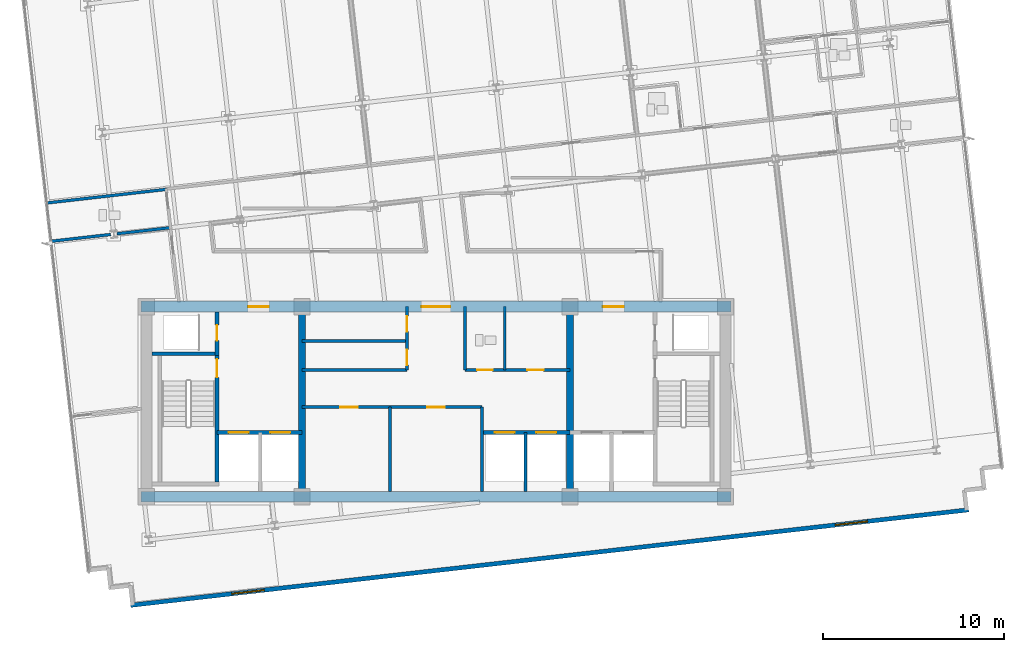
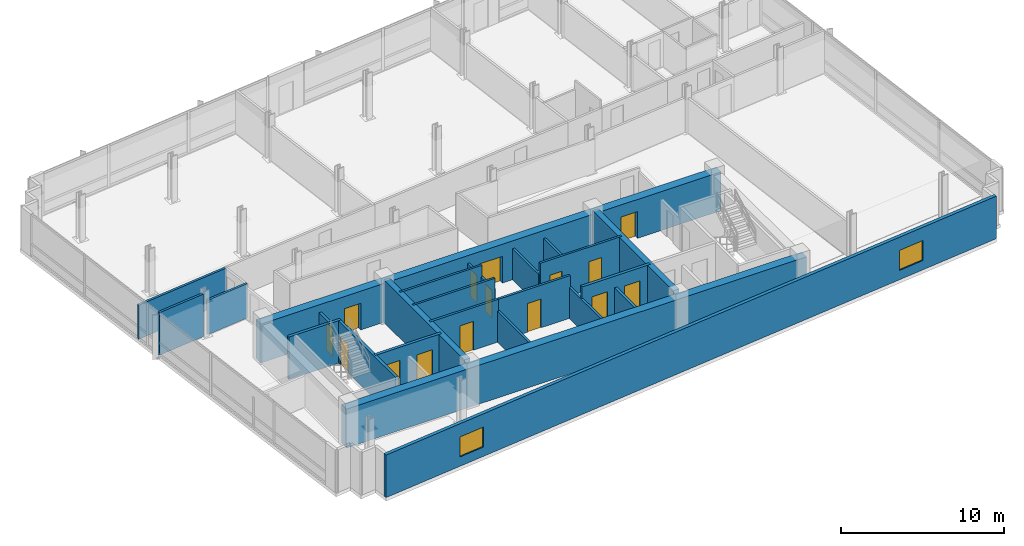
# One storey, part 8 of 16: 24 walls, 15 doors, 2 windows, 17 openings.
"""IFC4 building model written with IfcOpenShell, lengths in metres."""

from ifc_helpers import new_model, si_unit, direction, frame, frame_2d, origin, place, context, subcontext, project, spatial, rectangle, extrude, material, layer, layer_set, type_object, element, fill, save


model = new_model("IFC4")

# Units and contexts
model_context = context("Model", 3, precision=1e-05, world=origin(), true_north=direction((0.0, 1.0)))
body_context = subcontext(model_context, "Body", "Model", "MODEL_VIEW")
ifc_project = project(units=[si_unit("LENGTHUNIT", "METRE"), si_unit("AREAUNIT", "SQUARE_METRE"), si_unit("VOLUMEUNIT", "CUBIC_METRE"), si_unit("PLANEANGLEUNIT", "RADIAN"), si_unit("MASSUNIT", "GRAM", prefix="KILO")], contexts=[model_context])

# Site, building, storey
site_placement = place(None, origin())
site = spatial("IfcSite", under=ifc_project, at=site_placement, CompositionType="ELEMENT")
building_placement = place(site_placement, origin())
building = spatial("IfcBuilding", under=site, at=building_placement, Name="Solmavex Isthmus Hotel", CompositionType="ELEMENT")
storey_placement = place(building_placement, frame((0.0, 0.0, 233.10009765625)))
storey = spatial("IfcBuildingStorey", under=building, at=storey_placement, Name="L63", CompositionType="ELEMENT", Elevation=233.10009765625)

# Wall, openings, windows
ifc_material_1 = material(Name="Precast Concrete C40/50", Category="concrete")
ifc_layer_1 = layer(ifc_material_1, 0.25)
ifc_layer_set_1 = layer_set([ifc_layer_1], Name="Precast Concrete C40/50")
wall_type_1 = type_object("IfcWallType", Name="EW-TWR-250", PredefinedType="STANDARD", material=ifc_layer_set_1)
wall_1_placement = place(storey_placement, frame((-16.86962890625, -18.99951171875, 0.0), z_axis=(0.0, 0.0, 1.0), x_axis=(0.993571588328, 0.113205560228, 0.0)))
wall_1 = element("IfcWall", 1, at=wall_1_placement, inside=storey, type_object=wall_type_1, Name="Tower Rear South Facade Wall L63", PredefinedType="STANDARD", context=body_context, shape_type="SweptSolid", body=[
    extrude(rectangle(XDim=46.60009765625, YDim=0.239990234375, at=frame_2d((23.300048828125, 0.0))), origin(), (0.0, 0.0, 1.0), 3.18994140625),
])
opening_1_placement = place(wall_1_placement, frame((5.6240234375, 0.0, 0.699951171875)))
opening_1 = element("IfcOpeningElement", 2, at=opening_1_placement, cuts=wall_1, Name="Opening WN-02", PredefinedType="OPENING", context=body_context, shape_type="SweptSolid", body=[
    extrude(rectangle(XDim=1.800048828125, YDim=1.5, at=frame_2d((0.89990234375, 0.75))), frame((0.0, 0.1298828125, 0.0), z_axis=(0.0, -1.0, 0.0), x_axis=(1.0, 0.0, 0.0)), (0.0, 0.0, 1.0), 0.260009765625),
])
opening_2_placement = place(wall_1_placement, frame((39.176025390625, 0.0, 0.699951171875)))
opening_2 = element("IfcOpeningElement", 3, at=opening_2_placement, cuts=wall_1, Name="Opening WN-02", PredefinedType="OPENING", context=body_context, shape_type="SweptSolid", body=[
    extrude(rectangle(XDim=1.800048828125, YDim=1.5, at=frame_2d((0.89990234375, 0.75))), frame((0.0, 0.1298828125, 0.0), z_axis=(0.0, -1.0, 0.0), x_axis=(1.0, 0.0, 0.0)), (0.0, 0.0, 1.0), 0.260009765625),
])
ifc_material_2 = material(Name="Clear low-E laminated glass", Category="glass")
window_type = type_object("IfcWindowType", Name="WIN-TWR-1800", PartitioningType="SINGLE_PANEL", PredefinedType="WINDOW", material=ifc_material_2)
window_1_placement = place(opening_1_placement, origin())
window_1 = element("IfcWindow", 4, at=window_1_placement, inside=storey, type_object=window_type, Name="South Facade Vision Window L63-S1", OverallHeight=1.5, OverallWidth=1.800048828125, PartitioningType="SINGLE_PANEL", PredefinedType="WINDOW", context=body_context, shape_type="SweptSolid", body=[
    extrude(rectangle(XDim=1.800048828125, YDim=1.5, at=frame_2d((0.89990234375, 0.75))), frame((0.0, 0.030029296875, 0.0), z_axis=(0.0, -1.0, 0.0), x_axis=(1.0, 0.0, 0.0)), (0.0, 0.0, 1.0), 0.06005859375),
])
fill(opening_1, window_1)
window_2_placement = place(opening_2_placement, origin())
window_2 = element("IfcWindow", 5, at=window_2_placement, inside=storey, type_object=window_type, Name="South Facade Vision Window L63-S2", OverallHeight=1.5, OverallWidth=1.800048828125, PartitioningType="SINGLE_PANEL", PredefinedType="WINDOW", context=body_context, shape_type="SweptSolid", body=[
    extrude(rectangle(XDim=1.800048828125, YDim=1.5, at=frame_2d((0.89990234375, 0.75))), frame((0.0, 0.030029296875, 0.0), z_axis=(0.0, -1.0, 0.0), x_axis=(1.0, 0.0, 0.0)), (0.0, 0.0, 1.0), 0.06005859375),
])
fill(opening_2, window_2)

# Wall, opening, door
ifc_material_3 = material(Name="Gypsum plasterboard lining", Category="gypsum")
ifc_layer_2 = layer(ifc_material_3, 0.159912109375)
ifc_layer_set_2 = layer_set([ifc_layer_2], Name="Gypsum plasterboard lining")
wall_type_2 = type_object("IfcWallType", Name="IW-COMP-160", PredefinedType="PARTITIONING", material=ifc_layer_set_2)
wall_2_placement = place(storey_placement, frame((-7.39990234375, -8.050048828125, 0.0), z_axis=(0.0, 0.0, 1.0), x_axis=(1.0, 0.0, 0.0)))
wall_2 = element("IfcWall", 6, at=wall_2_placement, inside=storey, type_object=wall_type_2, Name="Interior Partition Wall W-L63-REC-PLL-N", PredefinedType="PARTITIONING", context=body_context, shape_type="SweptSolid", body=[
    extrude(rectangle(XDim=4.849853515625, YDim=0.159912109375, at=frame_2d((2.4248046875, 0.0))), origin(), (0.0, 0.0, 1.0), 3.18994140625),
])
opening_3_placement = place(wall_2_placement, frame((2.125, 0.0, 0.0)))
opening_3 = element("IfcOpeningElement", 7, at=opening_3_placement, cuts=wall_2, Name="Opening ID-C095", PredefinedType="OPENING", context=body_context, shape_type="SweptSolid", body=[
    extrude(rectangle(XDim=0.949951171875, YDim=2.14990234375, at=frame_2d((0.47509765625, 1.074951171875))), frame((0.0, 0.08984375, 0.0), z_axis=(0.0, -1.0, 0.0), x_axis=(1.0, 0.0, 0.0)), (0.0, 0.0, 1.0), 0.179931640625),
])
ifc_material_4 = material(Name="Hardwood timber", Category="wood")
door_type_1 = type_object("IfcDoorType", Name="IDR-FD60-0950", OperationType="NOTDEFINED", PredefinedType="DOOR", material=ifc_material_4)
door_1_placement = place(opening_3_placement, origin())
door_1 = element("IfcDoor", 8, at=door_1_placement, inside=storey, type_object=door_type_1, Name="Linen Reserve Door L63", OperationType="SINGLE_SWING_LEFT", OverallHeight=2.14990234375, OverallWidth=0.949951171875, PredefinedType="DOOR", context=body_context, shape_type="SweptSolid", body=[
    extrude(rectangle(XDim=0.949951171875, YDim=2.14990234375, at=frame_2d((0.47509765625, 1.074951171875))), frame((0.0, 0.02490234375, 0.0), z_axis=(0.0, -1.0, 0.0), x_axis=(1.0, 0.0, 0.0)), (0.0, 0.0, 1.0), 0.050048828125),
])
fill(opening_3, door_1)

# Wall
wall_3_placement = place(storey_placement, frame((-2.550048828125, -12.699951171875, 0.0), z_axis=(0.0, 0.0, 1.0), x_axis=(0.0, 1.0, 0.0)))
element("IfcWall", 9, at=wall_3_placement, inside=storey, type_object=wall_type_2, Name="Interior Partition Wall W-L63-REC-PLL-E", PredefinedType="PARTITIONING", context=body_context, shape_type="SweptSolid", body=[
    extrude(rectangle(XDim=4.64990234375, YDim=0.159912109375, at=frame_2d((2.324951171875, 0.0))), origin(), (0.0, 0.0, 1.0), 2.324951171875),
])

# Wall, opening, door
wall_4_placement = place(storey_placement, frame((-2.550048828125, -8.050048828125, 0.0), z_axis=(0.0, 0.0, 1.0), x_axis=(1.0, 0.0, 0.0)))
wall_4 = element("IfcWall", 10, at=wall_4_placement, inside=storey, type_object=wall_type_2, Name="Interior Partition Wall W-L63-REC-PLM-N", PredefinedType="PARTITIONING", context=body_context, shape_type="SweptSolid", body=[
    extrude(rectangle(XDim=5.10009765625, YDim=0.159912109375, at=frame_2d((2.550048828125, 0.0))), origin(), (0.0, 0.0, 1.0), 3.18994140625),
])
opening_4_placement = place(wall_4_placement, frame((2.074951171875, 0.0, 0.0)))
opening_4 = element("IfcOpeningElement", 11, at=opening_4_placement, cuts=wall_4, Name="Opening ID-C095", PredefinedType="OPENING", context=body_context, shape_type="SweptSolid", body=[
    extrude(rectangle(XDim=0.949951171875, YDim=2.14990234375, at=frame_2d((0.47509765625, 1.074951171875))), frame((0.0, 0.08984375, 0.0), z_axis=(0.0, -1.0, 0.0), x_axis=(1.0, 0.0, 0.0)), (0.0, 0.0, 1.0), 0.179931640625),
])
door_2_placement = place(opening_4_placement, origin())
door_2 = element("IfcDoor", 12, at=door_2_placement, inside=storey, type_object=door_type_1, Name="Butler Store Door L63", OperationType="SINGLE_SWING_RIGHT", OverallHeight=2.14990234375, OverallWidth=0.949951171875, PredefinedType="DOOR", context=body_context, shape_type="SweptSolid", body=[
    extrude(rectangle(XDim=0.949951171875, YDim=2.14990234375, at=frame_2d((0.47509765625, 1.074951171875))), frame((0.0, 0.02490234375, 0.0), z_axis=(0.0, -1.0, 0.0), x_axis=(1.0, 0.0, 0.0)), (0.0, 0.0, 1.0), 0.050048828125),
])
fill(opening_4, door_2)

# Walls
wall_5_placement = place(storey_placement, frame((2.550048828125, -12.699951171875, 0.0), z_axis=(0.0, 0.0, 1.0), x_axis=(0.0, 1.0, 0.0)))
element("IfcWall", 13, at=wall_5_placement, inside=storey, type_object=wall_type_2, Name="Interior Partition Wall W-L63-REC-PLM-E", PredefinedType="PARTITIONING", context=body_context, shape_type="SweptSolid", body=[
    extrude(rectangle(XDim=4.64990234375, YDim=0.159912109375, at=frame_2d((2.324951171875, 0.0))), origin(), (0.0, 0.0, 1.0), 2.324951171875),
])
wall_6_placement = place(storey_placement, frame((-14.86865234375, 3.98486328125, 0.0), z_axis=(0.0, 0.0, 1.0), x_axis=(-0.993568743641, -0.113230524415, 0.0)))
element("IfcWall", 14, at=wall_6_placement, inside=storey, type_object=wall_type_2, Name="Interior Partition Wall W-L63-P025", PredefinedType="PARTITIONING", context=body_context, shape_type="SweptSolid", body=[
    extrude(rectangle(XDim=6.7099609375, YDim=0.159912109375, at=frame_2d((3.35498046875, 0.0))), origin(), (0.0, 0.0, 1.0), 2.557373046875),
])
wall_7_placement = place(storey_placement, frame((-17.97216796875, 1.4873046875, 0.0), z_axis=(0.0, 0.0, 1.0), x_axis=(-0.993575433752, -0.113171804991, 0.0)))
element("IfcWall", 15, at=wall_7_placement, inside=storey, type_object=wall_type_2, Name="Interior Partition Wall W-L63-P042", PredefinedType="PARTITIONING", context=body_context, shape_type="SweptSolid", body=[
    extrude(rectangle(XDim=3.34375, YDim=0.159912109375, at=frame_2d((1.671875, 0.0))), origin(), (0.0, 0.0, 1.0), 3.18994140625),
])
wall_8_placement = place(storey_placement, frame((-14.62744140625, 1.868408203125, 0.0), z_axis=(0.0, 0.0, 1.0), x_axis=(-0.993574646464, -0.113178716659, 0.0)))
element("IfcWall", 16, at=wall_8_placement, inside=storey, type_object=wall_type_2, Name="Interior Partition Wall W-L63-P043", PredefinedType="PARTITIONING", context=body_context, shape_type="SweptSolid", body=[
    extrude(rectangle(XDim=3.013427734375, YDim=0.159912109375, at=frame_2d((1.5068359375, 0.0))), origin(), (0.0, 0.0, 1.0), 2.572265625),
])
ifc_layer_3 = layer(ifc_material_3, 0.14990234375)
ifc_layer_set_3 = layer_set([ifc_layer_3], Name="Gypsum plasterboard lining")
wall_type_3 = type_object("IfcWallType", Name="IW-CORR-150", PredefinedType="PARTITIONING", material=ifc_layer_set_3)
wall_9_placement = place(storey_placement, frame((-7.39990234375, -6.0, 0.0), z_axis=(0.0, 0.0, 1.0), x_axis=(1.0, 0.0, 0.0)))
element("IfcWall", 17, at=wall_9_placement, inside=storey, type_object=wall_type_3, Name="Interior Partition Wall W-L63-BOH-WS", PredefinedType="PARTITIONING", context=body_context, shape_type="SweptSolid", body=[
    extrude(rectangle(XDim=5.7998046875, YDim=0.14990234375, at=frame_2d((2.89990234375, 0.0))), origin(), (0.0, 0.0, 1.0), 3.18994140625),
])

# Wall, openings, doors
wall_10_placement = place(storey_placement, frame((-1.60009765625, -6.0, 0.0), z_axis=(0.0, 0.0, 1.0), x_axis=(0.0, 1.0, 0.0)))
wall_10 = element("IfcWall", 18, at=wall_10_placement, inside=storey, type_object=wall_type_3, Name="Interior Partition Wall W-L63-BOH-WE", PredefinedType="PARTITIONING", context=body_context, shape_type="SweptSolid", body=[
    extrude(rectangle(XDim=3.5, YDim=0.14990234375, at=frame_2d((1.75, 0.0))), origin(), (0.0, 0.0, 1.0), 2.324951171875),
])
opening_5_placement = place(wall_10_placement, frame((0.27490234375, 0.0, 0.0)))
opening_5 = element("IfcOpeningElement", 19, at=opening_5_placement, cuts=wall_10, Name="Opening ID-R085", PredefinedType="OPENING", context=body_context, shape_type="SweptSolid", body=[
    extrude(rectangle(XDim=0.85009765625, YDim=2.050048828125, at=frame_2d((0.425048828125, 1.02490234375))), frame((0.0, 0.0849609375, 0.0), z_axis=(0.0, -1.0, 0.0), x_axis=(1.0, 0.0, 0.0)), (0.0, 0.0, 1.0), 0.169921875),
])
opening_6_placement = place(wall_10_placement, frame((2.125, 0.0, 0.0)))
opening_6 = element("IfcOpeningElement", 20, at=opening_6_placement, cuts=wall_10, Name="Opening ID-R085", PredefinedType="OPENING", context=body_context, shape_type="SweptSolid", body=[
    extrude(rectangle(XDim=0.85009765625, YDim=2.050048828125, at=frame_2d((0.425048828125, 1.02490234375))), frame((0.0, 0.0849609375, 0.0), z_axis=(0.0, -1.0, 0.0), x_axis=(1.0, 0.0, 0.0)), (0.0, 0.0, 1.0), 0.169921875),
])
ifc_material_5 = material(Name="Steel ASTM A500 Grade C", Category="steel")
door_type_2 = type_object("IfcDoorType", Name="IDR-FD60-0850", OperationType="NOTDEFINED", PredefinedType="DOOR", material=ifc_material_5)
door_3_placement = place(opening_5_placement, origin())
door_3 = element("IfcDoor", 21, at=door_3_placement, inside=storey, type_object=door_type_2, Name="Housekeeping Door L63", OperationType="SINGLE_SWING_LEFT", OverallHeight=2.050048828125, OverallWidth=0.85009765625, PredefinedType="DOOR", context=body_context, shape_type="SweptSolid", body=[
    extrude(rectangle(XDim=0.85009765625, YDim=2.050048828125, at=frame_2d((0.425048828125, 1.02490234375))), frame((0.0, 0.02490234375, 0.0), z_axis=(0.0, -1.0, 0.0), x_axis=(1.0, 0.0, 0.0)), (0.0, 0.0, 1.0), 0.050048828125),
])
fill(opening_5, door_3)
door_4_placement = place(opening_6_placement, origin())
door_4 = element("IfcDoor", 22, at=door_4_placement, inside=storey, type_object=door_type_2, Name="Valet Store Door L63", OperationType="SINGLE_SWING_RIGHT", OverallHeight=2.050048828125, OverallWidth=0.85009765625, PredefinedType="DOOR", context=body_context, shape_type="SweptSolid", body=[
    extrude(rectangle(XDim=0.85009765625, YDim=2.050048828125, at=frame_2d((0.425048828125, 1.02490234375))), frame((0.0, 0.02490234375, 0.0), z_axis=(0.0, -1.0, 0.0), x_axis=(1.0, 0.0, 0.0)), (0.0, 0.0, 1.0), 0.050048828125),
])
fill(opening_6, door_4)

wall_11_placement = place(storey_placement, frame((1.60009765625, -6.0, 0.0), z_axis=(0.0, 0.0, 1.0), x_axis=(1.0, 0.0, 0.0)))
wall_11 = element("IfcWall", 23, at=wall_11_placement, inside=storey, type_object=wall_type_3, Name="Interior Partition Wall W-L63-BOH-ES", PredefinedType="PARTITIONING", context=body_context, shape_type="SweptSolid", body=[
    extrude(rectangle(XDim=5.7998046875, YDim=0.14990234375, at=frame_2d((2.89990234375, 0.0))), origin(), (0.0, 0.0, 1.0), 3.18994140625),
])
opening_7_placement = place(wall_11_placement, frame((0.675048828125, 0.0, 0.0)))
opening_7 = element("IfcOpeningElement", 24, at=opening_7_placement, cuts=wall_11, Name="Opening ID-R085", PredefinedType="OPENING", context=body_context, shape_type="SweptSolid", body=[
    extrude(rectangle(XDim=0.85009765625, YDim=2.050048828125, at=frame_2d((0.425048828125, 1.02490234375))), frame((0.0, 0.0849609375, 0.0), z_axis=(0.0, -1.0, 0.0), x_axis=(1.0, 0.0, 0.0)), (0.0, 0.0, 1.0), 0.169921875),
])
opening_8_placement = place(wall_11_placement, frame((3.449951171875, 0.0, 0.0)))
opening_8 = element("IfcOpeningElement", 25, at=opening_8_placement, cuts=wall_11, Name="Opening ID-C090", PredefinedType="OPENING", context=body_context, shape_type="SweptSolid", body=[
    extrude(rectangle(XDim=0.89990234375, YDim=2.10009765625, at=frame_2d((0.449951171875, 1.050048828125))), frame((0.0, 0.0849609375, 0.0), z_axis=(0.0, -1.0, 0.0), x_axis=(1.0, 0.0, 0.0)), (0.0, 0.0, 1.0), 0.169921875),
])
door_5_placement = place(opening_7_placement, frame((0.85009765625, 0.0, 0.0), z_axis=(0.0, 0.0, 1.0), x_axis=(-1.0, 0.0, 0.0)))
door_5 = element("IfcDoor", 26, at=door_5_placement, inside=storey, type_object=door_type_2, Name="Staff WC Door L63", OperationType="SINGLE_SWING_LEFT", OverallHeight=2.050048828125, OverallWidth=0.85009765625, PredefinedType="DOOR", context=body_context, shape_type="SweptSolid", body=[
    extrude(rectangle(XDim=0.85009765625, YDim=2.050048828125, at=frame_2d((0.425048828125, 1.02490234375))), frame((0.0, 0.02490234375, 0.0), z_axis=(0.0, -1.0, 0.0), x_axis=(1.0, 0.0, 0.0)), (0.0, 0.0, 1.0), 0.050048828125),
])
fill(opening_7, door_5)
door_type_3 = type_object("IfcDoorType", Name="IDR-FD60-0900", OperationType="NOTDEFINED", PredefinedType="DOOR", material=ifc_material_4)
door_6_placement = place(opening_8_placement, frame((0.89990234375, 0.0, 0.0), z_axis=(0.0, 0.0, 1.0), x_axis=(-1.0, 0.0, 0.0)))
door_6 = element("IfcDoor", 27, at=door_6_placement, inside=storey, type_object=door_type_3, Name="Room Service Door L63", OperationType="SINGLE_SWING_RIGHT", OverallHeight=2.10009765625, OverallWidth=0.89990234375, PredefinedType="DOOR", context=body_context, shape_type="SweptSolid", body=[
    extrude(rectangle(XDim=0.89990234375, YDim=2.10009765625, at=frame_2d((0.449951171875, 1.050048828125))), frame((0.0, 0.02490234375, 0.0), z_axis=(0.0, -1.0, 0.0), x_axis=(1.0, 0.0, 0.0)), (0.0, 0.0, 1.0), 0.050048828125),
])
fill(opening_8, door_6)

# Walls
wall_12_placement = place(storey_placement, frame((1.60009765625, -6.0, 0.0), z_axis=(0.0, 0.0, 1.0), x_axis=(0.0, 1.0, 0.0)))
element("IfcWall", 28, at=wall_12_placement, inside=storey, type_object=wall_type_3, Name="Interior Partition Wall W-L63-BOH-EW", PredefinedType="PARTITIONING", context=body_context, shape_type="SweptSolid", body=[
    extrude(rectangle(XDim=3.5, YDim=0.14990234375, at=frame_2d((1.75, 0.0))), origin(), (0.0, 0.0, 1.0), 2.324951171875),
])
ifc_layer_4 = layer(ifc_material_3, 0.1201171875)
ifc_layer_set_4 = layer_set([ifc_layer_4], Name="Gypsum plasterboard lining")
wall_type_4 = type_object("IfcWallType", Name="IW-PART-120", PredefinedType="PARTITIONING", material=ifc_layer_set_4)
wall_13_placement = place(storey_placement, frame((-7.39990234375, -4.39990234375, 0.0), z_axis=(0.0, 0.0, 1.0), x_axis=(1.0, 0.0, 0.0)))
element("IfcWall", 29, at=wall_13_placement, inside=storey, type_object=wall_type_4, Name="Interior Partition Wall W-L63-BOH-WH3", PredefinedType="PARTITIONING", context=body_context, shape_type="SweptSolid", body=[
    extrude(rectangle(XDim=5.7998046875, YDim=0.14990234375, at=frame_2d((2.89990234375, 0.0))), origin(), (0.0, 0.0, 1.0), 3.18994140625),
])
wall_14_placement = place(storey_placement, frame((3.800048828125, -6.0, 0.0), z_axis=(0.0, 0.0, 1.0), x_axis=(0.0, 1.0, 0.0)))
element("IfcWall", 30, at=wall_14_placement, inside=storey, type_object=wall_type_4, Name="Interior Partition Wall W-L63-BOH-EM3", PredefinedType="PARTITIONING", context=body_context, shape_type="SweptSolid", body=[
    extrude(rectangle(XDim=3.5, YDim=0.14990234375, at=frame_2d((1.75, 0.0))), origin(), (0.0, 0.0, 1.0), 2.324951171875),
])
ifc_material_6 = material(Name="Concrete C40/50", Category="concrete")
ifc_layer_5 = layer(ifc_material_6, 0.179931640625)
ifc_layer_set_5 = layer_set([ifc_layer_5], Name="Concrete C40/50")
wall_type_5 = type_object("IfcWallType", Name="IW-SHAFT-180", PredefinedType="PARTITIONING", material=ifc_layer_set_5)
wall_15_placement = place(storey_placement, frame((4.949951171875, -12.699951171875, 0.0), z_axis=(0.0, 0.0, 1.0), x_axis=(0.0, 1.0, 0.0)))
element("IfcWall", 31, at=wall_15_placement, inside=storey, type_object=wall_type_5, Name="Interior Partition Wall W-L63-SH-PLH-M", PredefinedType="PARTITIONING", context=body_context, shape_type="SweptSolid", body=[
    extrude(rectangle(XDim=3.25, YDim=0.179931640625, at=frame_2d((1.625, 0.0))), origin(), (0.0, 0.0, 1.0), 2.324951171875),
])

# Wall, opening, door
ifc_layer_6 = layer(ifc_material_6, 0.199951171875)
ifc_layer_set_6 = layer_set([ifc_layer_6], Name="Concrete C40/50")
wall_type_6 = type_object("IfcWallType", Name="IW-SHAFT-200", PredefinedType="PARTITIONING", material=ifc_layer_set_6)
wall_16_placement = place(storey_placement, frame((-12.10009765625, -5.199951171875, 0.0), z_axis=(0.0, 0.0, 1.0), x_axis=(0.0, 1.0, 0.0)))
wall_16 = element("IfcWall", 32, at=wall_16_placement, inside=storey, type_object=wall_type_6, Name="Interior Partition Wall W-L63-RSW-E", PredefinedType="PARTITIONING", context=body_context, shape_type="SweptSolid", body=[
    extrude(rectangle(XDim=2.39990234375, YDim=0.199951171875, at=frame_2d((1.199951171875, 0.0))), origin(), (0.0, 0.0, 1.0), 2.324951171875),
])
opening_9_placement = place(wall_16_placement, frame((0.824951171875, 0.0, 0.0)))
opening_9 = element("IfcOpeningElement", 33, at=opening_9_placement, cuts=wall_16, Name="Opening ID-R085", PredefinedType="OPENING", context=body_context, shape_type="SweptSolid", body=[
    extrude(rectangle(XDim=0.85009765625, YDim=2.050048828125, at=frame_2d((0.425048828125, 1.02490234375))), frame((0.0, 0.10986328125, 0.0), z_axis=(0.0, -1.0, 0.0), x_axis=(1.0, 0.0, 0.0)), (0.0, 0.0, 1.0), 0.219970703125),
])
door_7_placement = place(opening_9_placement, origin())
door_7 = element("IfcDoor", 34, at=door_7_placement, inside=storey, type_object=door_type_2, Name="Electrical Riser Door L63", OperationType="SINGLE_SWING_RIGHT", OverallHeight=2.050048828125, OverallWidth=0.85009765625, PredefinedType="DOOR", context=body_context, shape_type="SweptSolid", body=[
    extrude(rectangle(XDim=0.85009765625, YDim=2.050048828125, at=frame_2d((0.425048828125, 1.02490234375))), frame((0.0, 0.02490234375, 0.0), z_axis=(0.0, -1.0, 0.0), x_axis=(1.0, 0.0, 0.0)), (0.0, 0.0, 1.0), 0.050048828125),
])
fill(opening_9, door_7)

# Wall, openings, doors
wall_17_placement = place(storey_placement, frame((-12.10009765625, -9.449951171875, 0.0), z_axis=(0.0, 0.0, 1.0), x_axis=(1.0, 0.0, 0.0)))
wall_17 = element("IfcWall", 35, at=wall_17_placement, inside=storey, type_object=wall_type_6, Name="Interior Partition Wall W-L63-FFLW-S", PredefinedType="PARTITIONING", context=body_context, shape_type="SweptSolid", body=[
    extrude(rectangle(XDim=4.7001953125, YDim=0.199951171875, at=frame_2d((2.35009765625, 0.0))), origin(), (0.0, 0.0, 1.0), 3.18994140625),
])
opening_10_placement = place(wall_17_placement, frame((0.64990234375, 0.0, 0.0)))
opening_10 = element("IfcOpeningElement", 36, at=opening_10_placement, cuts=wall_17, Name="Opening LD-FF", PredefinedType="OPENING", context=body_context, shape_type="SweptSolid", body=[
    extrude(rectangle(XDim=1.10009765625, YDim=2.199951171875, at=frame_2d((0.550048828125, 1.10009765625))), frame((0.0, 0.10986328125, 0.0), z_axis=(0.0, -1.0, 0.0), x_axis=(1.0, 0.0, 0.0)), (0.0, 0.0, 1.0), 0.219970703125),
])
opening_11_placement = place(wall_17_placement, frame((2.949951171875, 0.0, 0.0)))
opening_11 = element("IfcOpeningElement", 37, at=opening_11_placement, cuts=wall_17, Name="Opening LD-SV", PredefinedType="OPENING", context=body_context, shape_type="SweptSolid", body=[
    extrude(rectangle(XDim=1.10009765625, YDim=2.199951171875, at=frame_2d((0.550048828125, 1.10009765625))), frame((0.0, 0.10986328125, 0.0), z_axis=(0.0, -1.0, 0.0), x_axis=(1.0, 0.0, 0.0)), (0.0, 0.0, 1.0), 0.219970703125),
])
ifc_material_7 = material(Name="Stainless steel 316", Category="steel")
door_type_4 = type_object("IfcDoorType", Name="LDR-FF-1100", OperationType="NOTDEFINED", PredefinedType="DOOR", material=ifc_material_7)
door_8_placement = place(opening_10_placement, origin())
door_8 = element("IfcDoor", 38, at=door_8_placement, inside=storey, type_object=door_type_4, Name="Lift Landing Door FFL-1 L63", OperationType="SLIDING_TO_LEFT", OverallHeight=2.199951171875, OverallWidth=1.10009765625, PredefinedType="DOOR", context=body_context, shape_type="SweptSolid", body=[
    extrude(rectangle(XDim=1.10009765625, YDim=2.199951171875, at=frame_2d((0.550048828125, 1.10009765625))), frame((0.0, 0.02490234375, 0.0), z_axis=(0.0, -1.0, 0.0), x_axis=(1.0, 0.0, 0.0)), (0.0, 0.0, 1.0), 0.050048828125),
])
fill(opening_10, door_8)
door_type_5 = type_object("IfcDoorType", Name="LDR-SV-1100", OperationType="NOTDEFINED", PredefinedType="DOOR", material=ifc_material_7)
door_9_placement = place(opening_11_placement, origin())
door_9 = element("IfcDoor", 39, at=door_9_placement, inside=storey, type_object=door_type_5, Name="Lift Landing Door SVL-1 L63", OperationType="SLIDING_TO_RIGHT", OverallHeight=2.199951171875, OverallWidth=1.10009765625, PredefinedType="DOOR", context=body_context, shape_type="SweptSolid", body=[
    extrude(rectangle(XDim=1.10009765625, YDim=2.199951171875, at=frame_2d((0.550048828125, 1.10009765625))), frame((0.0, 0.02490234375, 0.0), z_axis=(0.0, -1.0, 0.0), x_axis=(1.0, 0.0, 0.0)), (0.0, 0.0, 1.0), 0.050048828125),
])
fill(opening_11, door_9)

wall_18_placement = place(storey_placement, frame((2.550048828125, -9.449951171875, 0.0), z_axis=(0.0, 0.0, 1.0), x_axis=(1.0, 0.0, 0.0)))
wall_18 = element("IfcWall", 40, at=wall_18_placement, inside=storey, type_object=wall_type_6, Name="Interior Partition Wall W-L63-SH-PLH", PredefinedType="PARTITIONING", context=body_context, shape_type="SweptSolid", body=[
    extrude(rectangle(XDim=4.849853515625, YDim=0.199951171875, at=frame_2d((2.4248046875, 0.0))), origin(), (0.0, 0.0, 1.0), 3.18994140625),
])
opening_12_placement = place(wall_18_placement, frame((0.699951171875, 0.0, 0.0)))
opening_12 = element("IfcOpeningElement", 41, at=opening_12_placement, cuts=wall_18, Name="Opening LD-PL", PredefinedType="OPENING", context=body_context, shape_type="SweptSolid", body=[
    extrude(rectangle(XDim=1.10009765625, YDim=2.199951171875, at=frame_2d((0.550048828125, 1.10009765625))), frame((0.0, 0.10986328125, 0.0), z_axis=(0.0, -1.0, 0.0), x_axis=(1.0, 0.0, 0.0)), (0.0, 0.0, 1.0), 0.219970703125),
])
opening_13_placement = place(wall_18_placement, frame((3.0, 0.0, 0.0)))
opening_13 = element("IfcOpeningElement", 42, at=opening_13_placement, cuts=wall_18, Name="Opening LD-PL", PredefinedType="OPENING", context=body_context, shape_type="SweptSolid", body=[
    extrude(rectangle(XDim=1.10009765625, YDim=2.199951171875, at=frame_2d((0.550048828125, 1.10009765625))), frame((0.0, 0.10986328125, 0.0), z_axis=(0.0, -1.0, 0.0), x_axis=(1.0, 0.0, 0.0)), (0.0, 0.0, 1.0), 0.219970703125),
])
door_type_6 = type_object("IfcDoorType", Name="LDR-PL-1100", OperationType="NOTDEFINED", PredefinedType="DOOR", material=ifc_material_7)
door_10_placement = place(opening_12_placement, origin())
door_10 = element("IfcDoor", 43, at=door_10_placement, inside=storey, type_object=door_type_6, Name="Lift Landing Door PLH1 L63", OperationType="SLIDING_TO_LEFT", OverallHeight=2.199951171875, OverallWidth=1.10009765625, PredefinedType="DOOR", context=body_context, shape_type="SweptSolid", body=[
    extrude(rectangle(XDim=1.10009765625, YDim=2.199951171875, at=frame_2d((0.550048828125, 1.10009765625))), frame((0.0, 0.02490234375, 0.0), z_axis=(0.0, -1.0, 0.0), x_axis=(1.0, 0.0, 0.0)), (0.0, 0.0, 1.0), 0.050048828125),
])
fill(opening_12, door_10)
door_11_placement = place(opening_13_placement, origin())
door_11 = element("IfcDoor", 44, at=door_11_placement, inside=storey, type_object=door_type_6, Name="Lift Landing Door PLH2 L63", OperationType="SLIDING_TO_LEFT", OverallHeight=2.199951171875, OverallWidth=1.10009765625, PredefinedType="DOOR", context=body_context, shape_type="SweptSolid", body=[
    extrude(rectangle(XDim=1.10009765625, YDim=2.199951171875, at=frame_2d((0.550048828125, 1.10009765625))), frame((0.0, 0.02490234375, 0.0), z_axis=(0.0, -1.0, 0.0), x_axis=(1.0, 0.0, 0.0)), (0.0, 0.0, 1.0), 0.050048828125),
])
fill(opening_13, door_11)

# Walls
ifc_material_8 = material(Name="Concrete C50/60", Category="concrete")
ifc_layer_7 = layer(ifc_material_8, 0.39990234375)
ifc_layer_set_7 = layer_set([ifc_layer_7], Name="Concrete C50/60")
wall_type_7 = type_object("IfcWallType", Name="WALL-CW-400H", PredefinedType="SHEAR", material=ifc_layer_set_7)
for number, where, z_axis, x_axis, name in (
    (45, (-7.39990234375, -12.699951171875, 0.0), (0.0, 0.0, 1.0), (0.0, 1.0, 0.0), "Core Cross Shear Wall C1 L63"),
    (46, (7.39990234375, -12.699951171875, 0.0), (0.0, 0.0, 1.0), (0.0, 1.0, 0.0), "Core Cross Shear Wall C2 L63"),
):
    element("IfcWall", number, at=place(storey_placement, frame(where, z_axis=z_axis, x_axis=x_axis)), inside=storey, type_object=wall_type_7, Name=name, PredefinedType="SHEAR", context=body_context, shape_type="SweptSolid", body=[
        extrude(rectangle(XDim=9.89990234375, YDim=0.39990234375, at=frame_2d((4.949951171875, 0.0))), origin(), (0.0, 0.0, 1.0), 3.18994140625),
    ])
ifc_layer_8 = layer(ifc_material_8, 0.60009765625)
ifc_layer_set_8 = layer_set([ifc_layer_8], Name="Concrete C50/60")
wall_type_8 = type_object("IfcWallType", Name="WALL-CW-600", PredefinedType="SHEAR", material=ifc_layer_set_8)
wall_19_placement = place(storey_placement, frame((-16.300048828125, -13.0, 0.0), z_axis=(0.0, 0.0, 1.0), x_axis=(1.0, 0.0, 0.0)))
element("IfcWall", 47, at=wall_19_placement, inside=storey, type_object=wall_type_8, Name="Core Shear Wall South L63", PredefinedType="SHEAR", context=body_context, shape_type="SweptSolid", body=[
    extrude(rectangle(XDim=32.60009765625, YDim=0.60009765625, at=frame_2d((16.300048828125, 0.0))), origin(), (0.0, 0.0, 1.0), 2.909912109375),
])

# Wall, openings, doors
wall_20_placement = place(storey_placement, frame((-16.300048828125, -2.5, 0.0), z_axis=(0.0, 0.0, 1.0), x_axis=(1.0, 0.0, 0.0)))
wall_20 = element("IfcWall", 48, at=wall_20_placement, inside=storey, type_object=wall_type_8, Name="Core Shear Wall North L63", PredefinedType="SHEAR", context=body_context, shape_type="SweptSolid", body=[
    extrude(rectangle(XDim=32.60009765625, YDim=0.60009765625, at=frame_2d((16.300048828125, 0.0))), origin(), (0.0, 0.0, 1.0), 2.909912109375),
])
opening_14_placement = place(wall_20_placement, frame((5.925048828125, 0.0, 0.0)))
opening_14 = element("IfcOpeningElement", 49, at=opening_14_placement, cuts=wall_20, Name="Opening ID-F915", PredefinedType="OPENING", context=body_context, shape_type="SweptSolid", body=[
    extrude(rectangle(XDim=1.14990234375, YDim=2.0, at=frame_2d((0.574951171875, 1.0))), frame((0.0, 0.31005859375, 0.0), z_axis=(0.0, -1.0, 0.0), x_axis=(1.0, 0.0, 0.0)), (0.0, 0.0, 1.0), 0.6201171875),
])
opening_15_placement = place(wall_20_placement, frame((15.5, 0.0, 0.0)))
opening_15 = element("IfcOpeningElement", 50, at=opening_15_placement, cuts=wall_20, Name="Opening ID-F960", PredefinedType="OPENING", context=body_context, shape_type="SweptSolid", body=[
    extrude(rectangle(XDim=1.60009765625, YDim=2.0, at=frame_2d((0.800048828125, 1.0))), frame((0.0, 0.31005859375, 0.0), z_axis=(0.0, -1.0, 0.0), x_axis=(1.0, 0.0, 0.0)), (0.0, 0.0, 1.0), 0.6201171875),
])
opening_16_placement = place(wall_20_placement, frame((25.52490234375, 0.0, 0.0)))
opening_16 = element("IfcOpeningElement", 51, at=opening_16_placement, cuts=wall_20, Name="Opening ID-F915", PredefinedType="OPENING", context=body_context, shape_type="SweptSolid", body=[
    extrude(rectangle(XDim=1.14990234375, YDim=2.0, at=frame_2d((0.574951171875, 1.0))), frame((0.0, 0.31005859375, 0.0), z_axis=(0.0, -1.0, 0.0), x_axis=(1.0, 0.0, 0.0)), (0.0, 0.0, 1.0), 0.6201171875),
])
door_type_7 = type_object("IfcDoorType", Name="IDR-FD90-1150C", OperationType="NOTDEFINED", PredefinedType="DOOR", material=ifc_material_5)
door_12_placement = place(opening_14_placement, origin())
door_12 = element("IfcDoor", 52, at=door_12_placement, inside=storey, type_object=door_type_7, Name="Firefighting Lobby West Exit Door L63", OperationType="SINGLE_SWING_LEFT", OverallHeight=2.0, OverallWidth=1.14990234375, PredefinedType="DOOR", context=body_context, shape_type="SweptSolid", body=[
    extrude(rectangle(XDim=1.14990234375, YDim=2.0, at=frame_2d((0.574951171875, 1.0))), frame((0.0, 0.02490234375, 0.0), z_axis=(0.0, -1.0, 0.0), x_axis=(1.0, 0.0, 0.0)), (0.0, 0.0, 1.0), 0.050048828125),
])
fill(opening_14, door_12)
door_13_placement = place(opening_16_placement, origin())
door_13 = element("IfcDoor", 53, at=door_13_placement, inside=storey, type_object=door_type_7, Name="Firefighting Lobby East Exit Door L63", OperationType="SINGLE_SWING_RIGHT", OverallHeight=2.0, OverallWidth=1.14990234375, PredefinedType="DOOR", context=body_context, shape_type="SweptSolid", body=[
    extrude(rectangle(XDim=1.14990234375, YDim=2.0, at=frame_2d((0.574951171875, 1.0))), frame((0.0, 0.02490234375, 0.0), z_axis=(0.0, -1.0, 0.0), x_axis=(1.0, 0.0, 0.0)), (0.0, 0.0, 1.0), 0.050048828125),
])
fill(opening_16, door_13)
door_type_8 = type_object("IfcDoorType", Name="IDR-FD90-1600C", OperationType="NOTDEFINED", PredefinedType="DOOR", material=ifc_material_5)
door_14_placement = place(opening_15_placement, origin())
door_14 = element("IfcDoor", 54, at=door_14_placement, inside=storey, type_object=door_type_8, Name="Central Lift Lobby Door L63", OperationType="DOUBLE_DOOR_SINGLE_SWING", OverallHeight=2.0, OverallWidth=1.60009765625, PredefinedType="DOOR", context=body_context, shape_type="SweptSolid", body=[
    extrude(rectangle(XDim=1.60009765625, YDim=2.0, at=frame_2d((0.800048828125, 1.0))), frame((0.0, 0.02490234375, 0.0), z_axis=(0.0, -1.0, 0.0), x_axis=(1.0, 0.0, 0.0)), (0.0, 0.0, 1.0), 0.050048828125),
])
fill(opening_15, door_14)

# Wall
ifc_layer_9 = layer(ifc_material_6, 0.199951171875)
ifc_layer_set_9 = layer_set([ifc_layer_9], Name="Concrete C40/50")
wall_type_9 = type_object("IfcWallType", Name="WALL-SW-200", PredefinedType="SOLIDWALL", material=ifc_layer_set_9)
wall_21_placement = place(storey_placement, frame((-15.699951171875, -5.10009765625, 0.0), z_axis=(0.0, 0.0, 1.0), x_axis=(1.0, 0.0, 0.0)))
element("IfcWall", 55, at=wall_21_placement, inside=storey, type_object=wall_type_9, Name="Stairwell Structural Wall SW-L63-ST1-N", PredefinedType="SOLIDWALL", context=body_context, shape_type="SweptSolid", body=[
    extrude(rectangle(XDim=3.699951171875, YDim=0.199951171875, at=frame_2d((1.85009765625, 0.0))), origin(), (0.0, 0.0, 1.0), 3.18994140625),
])

# Wall, opening, door
wall_22_placement = place(storey_placement, frame((-12.10009765625, -12.199951171875, 0.0), z_axis=(0.0, 0.0, 1.0), x_axis=(0.0, 1.0, 0.0)))
wall_22 = element("IfcWall", 56, at=wall_22_placement, inside=storey, type_object=wall_type_9, Name="Stairwell Structural Wall SW-L63-ST1-E", PredefinedType="SOLIDWALL", context=body_context, shape_type="SweptSolid", body=[
    extrude(rectangle(XDim=7.0, YDim=0.199951171875, at=frame_2d((3.5, 0.0))), origin(), (0.0, 0.0, 1.0), 3.18994140625),
])
opening_17_placement = place(wall_22_placement, frame((5.800048828125, 0.0, 0.0)))
opening_17 = element("IfcOpeningElement", 57, at=opening_17_placement, cuts=wall_22, Name="Opening ID-F100", PredefinedType="OPENING", context=body_context, shape_type="SweptSolid", body=[
    extrude(rectangle(XDim=1.0, YDim=2.10009765625, at=frame_2d((0.5, 1.050048828125))), frame((0.0, 0.10986328125, 0.0), z_axis=(0.0, -1.0, 0.0), x_axis=(1.0, 0.0, 0.0)), (0.0, 0.0, 1.0), 0.219970703125),
])
door_type_9 = type_object("IfcDoorType", Name="IDR-FD90-1000", OperationType="NOTDEFINED", PredefinedType="DOOR", material=ifc_material_5)
door_15_placement = place(opening_17_placement, frame((1.0, 0.0, 0.0), z_axis=(0.0, 0.0, 1.0), x_axis=(-1.0, 0.0, 0.0)))
door_15 = element("IfcDoor", 58, at=door_15_placement, inside=storey, type_object=door_type_9, Name="Stair ST-1 Fire Door L63", OperationType="SINGLE_SWING_LEFT", OverallHeight=2.10009765625, OverallWidth=1.0, PredefinedType="DOOR", context=body_context, shape_type="SweptSolid", body=[
    extrude(rectangle(XDim=1.0, YDim=2.10009765625, at=frame_2d((0.5, 1.050048828125))), frame((0.0, 0.02490234375, 0.0), z_axis=(0.0, -1.0, 0.0), x_axis=(1.0, 0.0, 0.0)), (0.0, 0.0, 1.0), 0.050048828125),
])
fill(opening_17, door_15)

save(model, "model.ifc")
